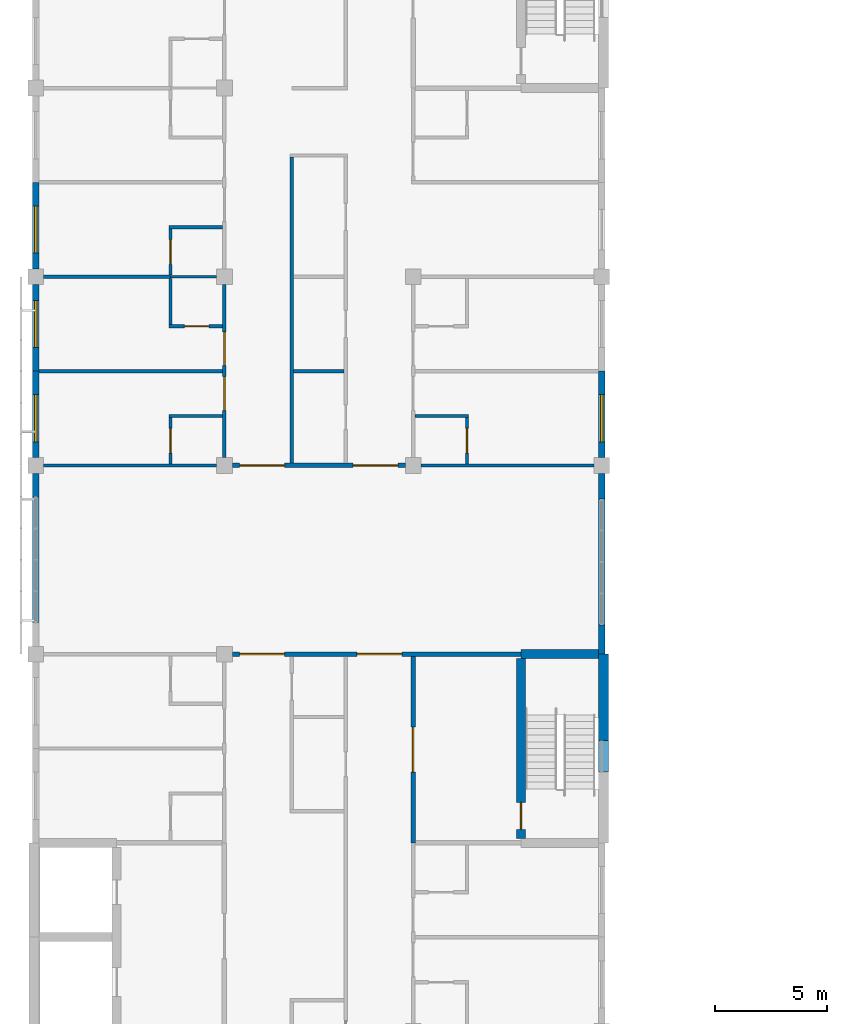
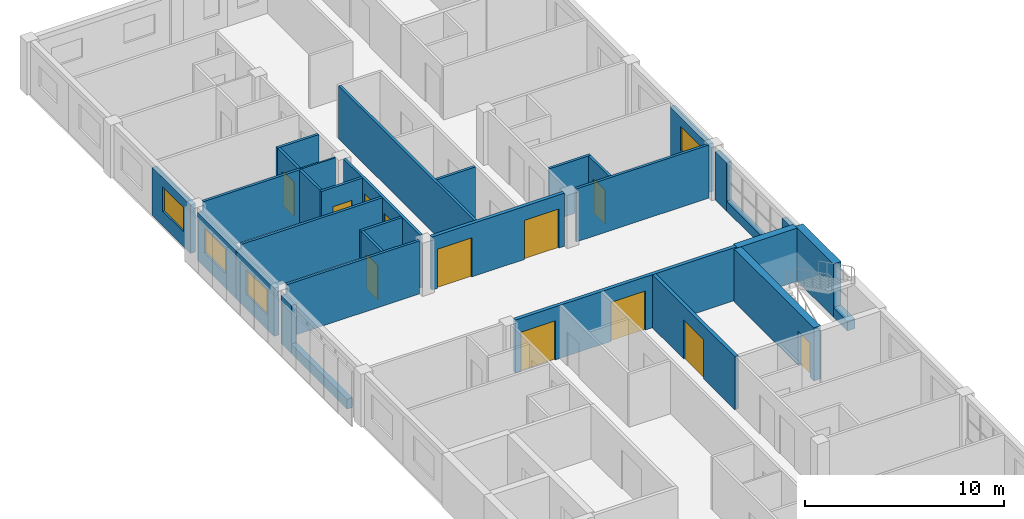
# One storey, part 32 of 45: 32 walls, 12 doors, 4 windows, 16 openings.
"""IFC4 building model written with IfcOpenShell, lengths in metres."""

from ifc_helpers import new_model, si_unit, direction, frame, frame_2d, origin, place, context, subcontext, project, spatial, rectangle, extrude, material, layer, layer_set, type_object, element, fill, save


model = new_model("IFC4")

# Units and contexts
model_context = context("Model", 3, precision=1e-05, world=origin(), true_north=direction((0.0, 1.0)))
body_context = subcontext(model_context, "Body", "Model", "MODEL_VIEW")
ifc_project = project(units=[si_unit("LENGTHUNIT", "METRE"), si_unit("AREAUNIT", "SQUARE_METRE"), si_unit("VOLUMEUNIT", "CUBIC_METRE"), si_unit("PLANEANGLEUNIT", "RADIAN"), si_unit("MASSUNIT", "GRAM", prefix="KILO")], contexts=[model_context])

# Site, building, storey
site_placement = place(None, origin())
site = spatial("IfcSite", under=ifc_project, at=site_placement, CompositionType="ELEMENT")
building_placement = place(site_placement, origin())
building = spatial("IfcBuilding", under=site, at=building_placement, Name="Yavir Park General Hospital", CompositionType="ELEMENT")
storey_placement = place(building_placement, frame((0.0, 0.0, 22.5)))
storey = spatial("IfcBuildingStorey", under=building, at=storey_placement, Name="L05", CompositionType="ELEMENT", Elevation=22.5)

# Wall, openings, doors
ifc_material_1 = material(Name="Double gypsum board fire partition on steel studs", Category="steel")
ifc_layer_1 = layer(ifc_material_1, 0.199951171875)
ifc_layer_set_1 = layer_set([ifc_layer_1], Name="Double gypsum board fire partition on steel studs")
wall_type_1 = type_object("IfcWallType", Name="Fire-rated partition 200, EI 60", PredefinedType="PARTITIONING", material=ifc_layer_set_1)
wall_1_placement = place(storey_placement, frame((8.75, 84.0, 0.0), z_axis=(0.0, 0.0, 1.0), x_axis=(1.0, 0.0, 0.0)))
wall_1 = element("IfcWall", 1, at=wall_1_placement, inside=storey, type_object=wall_type_1, Name="FP20 L05-111", PredefinedType="PARTITIONING", context=body_context, shape_type="SweptSolid", body=[
    extrude(rectangle(XDim=12.85009765625, YDim=0.199951171875, at=frame_2d((6.425048828125, 0.0))), origin(), (0.0, 0.0, 1.0), 3.260009765625),
])
opening_1_placement = place(wall_1_placement, frame((0.324951171875, 0.0, 0.0)))
opening_1 = element("IfcOpeningElement", 2, at=opening_1_placement, cuts=wall_1, Name="Opening L05.D068", PredefinedType="OPENING", context=body_context, shape_type="SweptSolid", body=[
    extrude(rectangle(XDim=2.0, YDim=2.39990234375, at=frame_2d((1.0, 1.199951171875))), frame((0.0, 0.10986328125, 0.0), z_axis=(0.0, -1.0, 0.0), x_axis=(1.0, 0.0, 0.0)), (0.0, 0.0, 1.0), 0.219970703125),
])
opening_2_placement = place(wall_1_placement, frame((5.550048828125, 0.0, 0.0)))
opening_2 = element("IfcOpeningElement", 3, at=opening_2_placement, cuts=wall_1, Name="Opening L05.D069", PredefinedType="OPENING", context=body_context, shape_type="SweptSolid", body=[
    extrude(rectangle(XDim=2.0, YDim=2.39990234375, at=frame_2d((1.0, 1.199951171875))), frame((0.0, 0.10986328125, 0.0), z_axis=(0.0, -1.0, 0.0), x_axis=(1.0, 0.0, 0.0)), (0.0, 0.0, 1.0), 0.219970703125),
])
ifc_material_2 = material(Name="Steel frame, fire-resisting leaves with vision panels", Category="steel")
door_type_1 = type_object("IfcDoorType", Name="Double fire door with vision panels 2000 x 2400, EI 60", OperationType="DOUBLE_DOOR_SINGLE_SWING", PredefinedType="DOOR", material=ifc_material_2)
door_1_placement = place(opening_1_placement, origin())
door_1 = element("IfcDoor", 4, at=door_1_placement, inside=storey, type_object=door_type_1, Name="L05.D068", OperationType="SINGLE_SWING_RIGHT", OverallHeight=2.39990234375, OverallWidth=2.0, PredefinedType="DOOR", context=body_context, shape_type="SweptSolid", body=[
    extrude(rectangle(XDim=2.0, YDim=2.39990234375, at=frame_2d((1.0, 1.199951171875))), frame((0.0, 0.030029296875, 0.0), z_axis=(0.0, -1.0, 0.0), x_axis=(1.0, 0.0, 0.0)), (0.0, 0.0, 1.0), 0.06005859375),
])
fill(opening_1, door_1)
door_2_placement = place(opening_2_placement, origin())
door_2 = element("IfcDoor", 5, at=door_2_placement, inside=storey, type_object=door_type_1, Name="L05.D069", OperationType="SINGLE_SWING_LEFT", OverallHeight=2.39990234375, OverallWidth=2.0, PredefinedType="DOOR", context=body_context, shape_type="SweptSolid", body=[
    extrude(rectangle(XDim=2.0, YDim=2.39990234375, at=frame_2d((1.0, 1.199951171875))), frame((0.0, 0.030029296875, 0.0), z_axis=(0.0, -1.0, 0.0), x_axis=(1.0, 0.0, 0.0)), (0.0, 0.0, 1.0), 0.06005859375),
])
fill(opening_2, door_2)

wall_2_placement = place(storey_placement, frame((8.75, 92.39990234375, 0.0), z_axis=(0.0, 0.0, 1.0), x_axis=(1.0, 0.0, 0.0)))
wall_2 = element("IfcWall", 6, at=wall_2_placement, inside=storey, type_object=wall_type_1, Name="FP20 L05-114", PredefinedType="PARTITIONING", context=body_context, shape_type="SweptSolid", body=[
    extrude(rectangle(XDim=7.699951171875, YDim=0.199951171875, at=frame_2d((3.85009765625, 0.0))), origin(), (0.0, 0.0, 1.0), 3.260009765625),
])
opening_3_placement = place(wall_2_placement, frame((0.324951171875, 0.0, 0.0)))
opening_3 = element("IfcOpeningElement", 7, at=opening_3_placement, cuts=wall_2, Name="Opening L05.D070", PredefinedType="OPENING", context=body_context, shape_type="SweptSolid", body=[
    extrude(rectangle(XDim=2.0, YDim=2.39990234375, at=frame_2d((1.0, 1.199951171875))), frame((0.0, 0.10986328125, 0.0), z_axis=(0.0, -1.0, 0.0), x_axis=(1.0, 0.0, 0.0)), (0.0, 0.0, 1.0), 0.219970703125),
])
opening_4_placement = place(wall_2_placement, frame((5.375, 0.0, 0.0)))
opening_4 = element("IfcOpeningElement", 8, at=opening_4_placement, cuts=wall_2, Name="Opening L05.D071", PredefinedType="OPENING", context=body_context, shape_type="SweptSolid", body=[
    extrude(rectangle(XDim=2.0, YDim=2.39990234375, at=frame_2d((1.0, 1.199951171875))), frame((0.0, 0.10986328125, 0.0), z_axis=(0.0, -1.0, 0.0), x_axis=(1.0, 0.0, 0.0)), (0.0, 0.0, 1.0), 0.219970703125),
])
door_3_placement = place(opening_3_placement, origin())
door_3 = element("IfcDoor", 9, at=door_3_placement, inside=storey, type_object=door_type_1, Name="L05.D070", OperationType="SINGLE_SWING_LEFT", OverallHeight=2.39990234375, OverallWidth=2.0, PredefinedType="DOOR", context=body_context, shape_type="SweptSolid", body=[
    extrude(rectangle(XDim=2.0, YDim=2.39990234375, at=frame_2d((1.0, 1.199951171875))), frame((0.0, 0.030029296875, 0.0), z_axis=(0.0, -1.0, 0.0), x_axis=(1.0, 0.0, 0.0)), (0.0, 0.0, 1.0), 0.06005859375),
])
fill(opening_3, door_3)
door_4_placement = place(opening_4_placement, origin())
door_4 = element("IfcDoor", 10, at=door_4_placement, inside=storey, type_object=door_type_1, Name="L05.D071", OperationType="SINGLE_SWING_RIGHT", OverallHeight=2.39990234375, OverallWidth=2.0, PredefinedType="DOOR", context=body_context, shape_type="SweptSolid", body=[
    extrude(rectangle(XDim=2.0, YDim=2.39990234375, at=frame_2d((1.0, 1.199951171875))), frame((0.0, 0.030029296875, 0.0), z_axis=(0.0, -1.0, 0.0), x_axis=(1.0, 0.0, 0.0)), (0.0, 0.0, 1.0), 0.06005859375),
])
fill(opening_4, door_4)

# Wall, opening, door
wall_3_placement = place(storey_placement, frame((16.800048828125, 75.60009765625, 0.0), z_axis=(0.0, 0.0, 1.0), x_axis=(0.0, 1.0, 0.0)))
wall_3 = element("IfcWall", 11, at=wall_3_placement, inside=storey, type_object=wall_type_1, Name="FP20 L05-192", PredefinedType="PARTITIONING", context=body_context, shape_type="SweptSolid", body=[
    extrude(rectangle(XDim=8.2998046875, YDim=0.199951171875, at=frame_2d((4.14990234375, 0.0))), origin(), (0.0, 0.0, 1.0), 3.260009765625),
])
opening_5_placement = place(wall_3_placement, frame((3.14990234375, 0.0, 0.0)))
opening_5 = element("IfcOpeningElement", 12, at=opening_5_placement, cuts=wall_3, Name="Opening L05.D127", PredefinedType="OPENING", context=body_context, shape_type="SweptSolid", body=[
    extrude(rectangle(XDim=2.0, YDim=2.39990234375, at=frame_2d((1.0, 1.199951171875))), frame((0.0, 0.10986328125, 0.0), z_axis=(0.0, -1.0, 0.0), x_axis=(1.0, 0.0, 0.0)), (0.0, 0.0, 1.0), 0.219970703125),
])
door_5_placement = place(opening_5_placement, origin())
door_5 = element("IfcDoor", 13, at=door_5_placement, inside=storey, type_object=door_type_1, Name="L05.D127", OperationType="SINGLE_SWING_LEFT", OverallHeight=2.39990234375, OverallWidth=2.0, PredefinedType="DOOR", context=body_context, shape_type="SweptSolid", body=[
    extrude(rectangle(XDim=2.0, YDim=2.39990234375, at=frame_2d((1.0, 1.199951171875))), frame((0.0, 0.030029296875, 0.0), z_axis=(0.0, -1.0, 0.0), x_axis=(1.0, 0.0, 0.0)), (0.0, 0.0, 1.0), 0.06005859375),
])
fill(opening_5, door_5)

# Walls
ifc_material_3 = material(Name="Gypsum board partition on steel studs", Category="steel")
ifc_layer_2 = layer(ifc_material_3, 0.10009765625)
ifc_layer_set_2 = layer_set([ifc_layer_2], Name="Gypsum board partition on steel studs")
wall_type_2 = type_object("IfcWallType", Name="Gypsum board partition 100", PredefinedType="PARTITIONING", material=ifc_layer_set_2)
wall_4_placement = place(storey_placement, frame((6.0, 100.800048828125, 0.0), z_axis=(0.0, 0.0, 1.0), x_axis=(1.0, 0.0, 0.0)))
element("IfcWall", 14, at=wall_4_placement, inside=storey, type_object=wall_type_2, Name="P10 L05-124", PredefinedType="PARTITIONING", context=body_context, shape_type="SweptSolid", body=[
    extrude(rectangle(XDim=2.050048828125, YDim=0.10009765625, at=frame_2d((1.02490234375, 0.0))), origin(), (0.0, 0.0, 1.0), 3.260009765625),
])
ifc_material_4 = material(Name="Gypsum board partition on steel studs", Category="steel")
ifc_layer_3 = layer(ifc_material_4, 0.14990234375)
ifc_layer_set_3 = layer_set([ifc_layer_3], Name="Gypsum board partition on steel studs")
wall_type_3 = type_object("IfcWallType", Name="Gypsum board partition 150", PredefinedType="PARTITIONING", material=ifc_layer_set_3)
wall_5_placement = place(storey_placement, frame((0.35009765625, 92.39990234375, 0.0), z_axis=(0.0, 0.0, 1.0), x_axis=(1.0, 0.0, 0.0)))
element("IfcWall", 15, at=wall_5_placement, inside=storey, type_object=wall_type_3, Name="P15 L05-113", PredefinedType="PARTITIONING", context=body_context, shape_type="SweptSolid", body=[
    extrude(rectangle(XDim=7.699951171875, YDim=0.14990234375, at=frame_2d((3.85009765625, 0.0))), origin(), (0.0, 0.0, 1.0), 3.260009765625),
])
wall_6_placement = place(storey_placement, frame((17.14990234375, 92.39990234375, 0.0), z_axis=(0.0, 0.0, 1.0), x_axis=(1.0, 0.0, 0.0)))
element("IfcWall", 16, at=wall_6_placement, inside=storey, type_object=wall_type_3, Name="P15 L05-115", PredefinedType="PARTITIONING", context=body_context, shape_type="SweptSolid", body=[
    extrude(rectangle(XDim=7.7001953125, YDim=0.14990234375, at=frame_2d((3.85009765625, 0.0))), origin(), (0.0, 0.0, 1.0), 3.260009765625),
])
for number, where, z_axis, x_axis, name in (
    (17, (5.925048828125, 94.60009765625, 0.0), (0.0, 0.0, 1.0), (1.0, 0.0, 0.0), "P15 L05-116"),
    (18, (16.875, 94.60009765625, 0.0), (0.0, 0.0, 1.0), (1.0, 0.0, 0.0), "P15 L05-117"),
):
    element("IfcWall", number, at=place(storey_placement, frame(where, z_axis=z_axis, x_axis=x_axis)), inside=storey, type_object=wall_type_3, Name=name, PredefinedType="PARTITIONING", context=body_context, shape_type="SweptSolid", body=[
        extrude(rectangle(XDim=2.39990234375, YDim=0.14990234375, at=frame_2d((1.199951171875, 0.0))), origin(), (0.0, 0.0, 1.0), 3.260009765625),
    ])
wall_7_placement = place(storey_placement, frame((0.14990234375, 96.60009765625, 0.0), z_axis=(0.0, 0.0, 1.0), x_axis=(1.0, 0.0, 0.0)))
element("IfcWall", 19, at=wall_7_placement, inside=storey, type_object=wall_type_3, Name="P15 L05-118", PredefinedType="PARTITIONING", context=body_context, shape_type="SweptSolid", body=[
    extrude(rectangle(XDim=8.175048828125, YDim=0.14990234375, at=frame_2d((4.08740234375, 0.0))), origin(), (0.0, 0.0, 1.0), 3.260009765625),
])
wall_8_placement = place(storey_placement, frame((11.47509765625, 96.60009765625, 0.0), z_axis=(0.0, 0.0, 1.0), x_axis=(1.0, 0.0, 0.0)))
element("IfcWall", 20, at=wall_8_placement, inside=storey, type_object=wall_type_3, Name="P15 L05-119", PredefinedType="PARTITIONING", context=body_context, shape_type="SweptSolid", body=[
    extrude(rectangle(XDim=2.25, YDim=0.14990234375, at=frame_2d((1.125, 0.0))), origin(), (0.0, 0.0, 1.0), 3.260009765625),
])

# Wall, opening, door
wall_9_placement = place(storey_placement, frame((5.925048828125, 98.60009765625, 0.0), z_axis=(0.0, 0.0, 1.0), x_axis=(1.0, 0.0, 0.0)))
wall_9 = element("IfcWall", 21, at=wall_9_placement, inside=storey, type_object=wall_type_3, Name="P15 L05-121", PredefinedType="PARTITIONING", context=body_context, shape_type="SweptSolid", body=[
    extrude(rectangle(XDim=2.39990234375, YDim=0.14990234375, at=frame_2d((1.199951171875, 0.0))), origin(), (0.0, 0.0, 1.0), 3.260009765625),
])
opening_6_placement = place(wall_9_placement, frame((0.6875, 0.0, 0.0)))
opening_6 = element("IfcOpeningElement", 22, at=opening_6_placement, cuts=wall_9, Name="Opening L05.D072", PredefinedType="OPENING", context=body_context, shape_type="SweptSolid", body=[
    extrude(rectangle(XDim=1.10009765625, YDim=2.10009765625, at=frame_2d((0.550048828125, 1.050048828125))), frame((0.0, 0.0849609375, 0.0), z_axis=(0.0, -1.0, 0.0), x_axis=(1.0, 0.0, 0.0)), (0.0, 0.0, 1.0), 0.169921875),
])
ifc_material_5 = material(Name="Hollow metal frame, solid-core timber leaf", Category="wood")
door_type_2 = type_object("IfcDoorType", Name="Single swing door 1100 x 2100", OperationType="SINGLE_SWING_LEFT", PredefinedType="DOOR", material=ifc_material_5)
door_6_placement = place(opening_6_placement, origin())
door_6 = element("IfcDoor", 23, at=door_6_placement, inside=storey, type_object=door_type_2, Name="L05.D072", OperationType="SINGLE_SWING_RIGHT", OverallHeight=2.10009765625, OverallWidth=1.10009765625, PredefinedType="DOOR", context=body_context, shape_type="SweptSolid", body=[
    extrude(rectangle(XDim=1.10009765625, YDim=2.10009765625, at=frame_2d((0.550048828125, 1.050048828125))), frame((0.0, 0.02490234375, 0.0), z_axis=(0.0, -1.0, 0.0), x_axis=(1.0, 0.0, 0.0)), (0.0, 0.0, 1.0), 0.050048828125),
])
fill(opening_6, door_6)

# Walls
wall_10_placement = place(storey_placement, frame((0.35009765625, 100.800048828125, 0.0), z_axis=(0.0, 0.0, 1.0), x_axis=(1.0, 0.0, 0.0)))
element("IfcWall", 24, at=wall_10_placement, inside=storey, type_object=wall_type_3, Name="P15 L05-123", PredefinedType="PARTITIONING", context=body_context, shape_type="SweptSolid", body=[
    extrude(rectangle(XDim=5.64990234375, YDim=0.14990234375, at=frame_2d((2.824951171875, 0.0))), origin(), (0.0, 0.0, 1.0), 3.260009765625),
])
wall_11_placement = place(storey_placement, frame((5.925048828125, 103.0, 0.0), z_axis=(0.0, 0.0, 1.0), x_axis=(1.0, 0.0, 0.0)))
element("IfcWall", 25, at=wall_11_placement, inside=storey, type_object=wall_type_3, Name="P15 L05-127", PredefinedType="PARTITIONING", context=body_context, shape_type="SweptSolid", body=[
    extrude(rectangle(XDim=2.39990234375, YDim=0.14990234375, at=frame_2d((1.199951171875, 0.0))), origin(), (0.0, 0.0, 1.0), 3.260009765625),
])

# Wall, opening, door
wall_12_placement = place(storey_placement, frame((6.0, 92.47509765625, 0.0), z_axis=(0.0, 0.0, 1.0), x_axis=(0.0, 1.0, 0.0)))
wall_12 = element("IfcWall", 26, at=wall_12_placement, inside=storey, type_object=wall_type_3, Name="P15 L05-153", PredefinedType="PARTITIONING", context=body_context, shape_type="SweptSolid", body=[
    extrude(rectangle(XDim=2.0498046875, YDim=0.14990234375, at=frame_2d((1.02490234375, 0.0))), origin(), (0.0, 0.0, 1.0), 3.260009765625),
])
opening_7_placement = place(wall_12_placement, frame((0.47509765625, 0.0, 0.0)))
opening_7 = element("IfcOpeningElement", 27, at=opening_7_placement, cuts=wall_12, Name="Opening L05.D088", PredefinedType="OPENING", context=body_context, shape_type="SweptSolid", body=[
    extrude(rectangle(XDim=1.10009765625, YDim=2.10009765625, at=frame_2d((0.550048828125, 1.050048828125))), frame((0.0, 0.0849609375, 0.0), z_axis=(0.0, -1.0, 0.0), x_axis=(1.0, 0.0, 0.0)), (0.0, 0.0, 1.0), 0.169921875),
])
door_7_placement = place(opening_7_placement, origin())
door_7 = element("IfcDoor", 28, at=door_7_placement, inside=storey, type_object=door_type_2, Name="L05.D088", OperationType="SINGLE_SWING_RIGHT", OverallHeight=2.10009765625, OverallWidth=1.10009765625, PredefinedType="DOOR", context=body_context, shape_type="SweptSolid", body=[
    extrude(rectangle(XDim=1.10009765625, YDim=2.10009765625, at=frame_2d((0.550048828125, 1.050048828125))), frame((0.0, 0.02490234375, 0.0), z_axis=(0.0, -1.0, 0.0), x_axis=(1.0, 0.0, 0.0)), (0.0, 0.0, 1.0), 0.050048828125),
])
fill(opening_7, door_7)

# Wall
wall_13_placement = place(storey_placement, frame((6.0, 98.675048828125, 0.0), z_axis=(0.0, 0.0, 1.0), x_axis=(0.0, 1.0, 0.0)))
element("IfcWall", 29, at=wall_13_placement, inside=storey, type_object=wall_type_3, Name="P15 L05-154", PredefinedType="PARTITIONING", context=body_context, shape_type="SweptSolid", body=[
    extrude(rectangle(XDim=2.050048828125, YDim=0.14990234375, at=frame_2d((1.02490234375, 0.0))), origin(), (0.0, 0.0, 1.0), 3.260009765625),
])

# Wall, opening, door
wall_14_placement = place(storey_placement, frame((6.0, 100.875, 0.0), z_axis=(0.0, 0.0, 1.0), x_axis=(0.0, 1.0, 0.0)))
wall_14 = element("IfcWall", 30, at=wall_14_placement, inside=storey, type_object=wall_type_3, Name="P15 L05-155", PredefinedType="PARTITIONING", context=body_context, shape_type="SweptSolid", body=[
    extrude(rectangle(XDim=2.050048828125, YDim=0.14990234375, at=frame_2d((1.02490234375, 0.0))), origin(), (0.0, 0.0, 1.0), 3.260009765625),
])
opening_8_placement = place(wall_14_placement, frame((0.47509765625, 0.0, 0.0)))
opening_8 = element("IfcOpeningElement", 31, at=opening_8_placement, cuts=wall_14, Name="Opening L05.D089", PredefinedType="OPENING", context=body_context, shape_type="SweptSolid", body=[
    extrude(rectangle(XDim=1.10009765625, YDim=2.10009765625, at=frame_2d((0.550048828125, 1.050048828125))), frame((0.0, 0.0849609375, 0.0), z_axis=(0.0, -1.0, 0.0), x_axis=(1.0, 0.0, 0.0)), (0.0, 0.0, 1.0), 0.169921875),
])
door_8_placement = place(opening_8_placement, origin())
door_8 = element("IfcDoor", 32, at=door_8_placement, inside=storey, type_object=door_type_2, Name="L05.D089", OperationType="SINGLE_SWING_RIGHT", OverallHeight=2.10009765625, OverallWidth=1.10009765625, PredefinedType="DOOR", context=body_context, shape_type="SweptSolid", body=[
    extrude(rectangle(XDim=1.10009765625, YDim=2.10009765625, at=frame_2d((0.550048828125, 1.050048828125))), frame((0.0, 0.02490234375, 0.0), z_axis=(0.0, -1.0, 0.0), x_axis=(1.0, 0.0, 0.0)), (0.0, 0.0, 1.0), 0.050048828125),
])
fill(opening_8, door_8)

# Wall, openings, doors
wall_15_placement = place(storey_placement, frame((8.39990234375, 92.75, 0.0), z_axis=(0.0, 0.0, 1.0), x_axis=(0.0, 1.0, 0.0)))
wall_15 = element("IfcWall", 33, at=wall_15_placement, inside=storey, type_object=wall_type_3, Name="P15 L05-169", PredefinedType="PARTITIONING", context=body_context, shape_type="SweptSolid", body=[
    extrude(rectangle(XDim=7.699951171875, YDim=0.14990234375, at=frame_2d((3.85009765625, 0.0))), origin(), (0.0, 0.0, 1.0), 3.260009765625),
])
opening_9_placement = place(wall_15_placement, frame((2.10009765625, 0.0, 0.0)))
opening_9 = element("IfcOpeningElement", 34, at=opening_9_placement, cuts=wall_15, Name="Opening L05.D102", PredefinedType="OPENING", context=body_context, shape_type="SweptSolid", body=[
    extrude(rectangle(XDim=1.5, YDim=2.39990234375, at=frame_2d((0.75, 1.199951171875))), frame((0.0, 0.0849609375, 0.0), z_axis=(0.0, -1.0, 0.0), x_axis=(1.0, 0.0, 0.0)), (0.0, 0.0, 1.0), 0.169921875),
])
opening_10_placement = place(wall_15_placement, frame((4.10009765625, 0.0, 0.0)))
opening_10 = element("IfcOpeningElement", 35, at=opening_10_placement, cuts=wall_15, Name="Opening L05.D103", PredefinedType="OPENING", context=body_context, shape_type="SweptSolid", body=[
    extrude(rectangle(XDim=1.5, YDim=2.39990234375, at=frame_2d((0.75, 1.199951171875))), frame((0.0, 0.0849609375, 0.0), z_axis=(0.0, -1.0, 0.0), x_axis=(1.0, 0.0, 0.0)), (0.0, 0.0, 1.0), 0.169921875),
])
ifc_material_6 = material(Name="Solid-core timber leaves, push plates, kick plates", Category="wood")
door_type_3 = type_object("IfcDoorType", Name="Bed door, unequal leaves 1500 x 2400", OperationType="DOUBLE_DOOR_SINGLE_SWING", PredefinedType="DOOR", material=ifc_material_6)
door_9_placement = place(opening_9_placement, origin())
door_9 = element("IfcDoor", 36, at=door_9_placement, inside=storey, type_object=door_type_3, Name="L05.D102", OperationType="SINGLE_SWING_RIGHT", OverallHeight=2.39990234375, OverallWidth=1.5, PredefinedType="DOOR", context=body_context, shape_type="SweptSolid", body=[
    extrude(rectangle(XDim=1.5, YDim=2.39990234375, at=frame_2d((0.75, 1.199951171875))), frame((0.0, 0.030029296875, 0.0), z_axis=(0.0, -1.0, 0.0), x_axis=(1.0, 0.0, 0.0)), (0.0, 0.0, 1.0), 0.06005859375),
])
fill(opening_9, door_9)
door_10_placement = place(opening_10_placement, origin())
door_10 = element("IfcDoor", 37, at=door_10_placement, inside=storey, type_object=door_type_3, Name="L05.D103", OperationType="SINGLE_SWING_RIGHT", OverallHeight=2.39990234375, OverallWidth=1.5, PredefinedType="DOOR", context=body_context, shape_type="SweptSolid", body=[
    extrude(rectangle(XDim=1.5, YDim=2.39990234375, at=frame_2d((0.75, 1.199951171875))), frame((0.0, 0.030029296875, 0.0), z_axis=(0.0, -1.0, 0.0), x_axis=(1.0, 0.0, 0.0)), (0.0, 0.0, 1.0), 0.06005859375),
])
fill(opening_10, door_10)

# Wall
wall_16_placement = place(storey_placement, frame((11.39990234375, 92.5, 0.0), z_axis=(0.0, 0.0, 1.0), x_axis=(0.0, 1.0, 0.0)))
element("IfcWall", 38, at=wall_16_placement, inside=storey, type_object=wall_type_3, Name="P15 L05-177", PredefinedType="PARTITIONING", context=body_context, shape_type="SweptSolid", body=[
    extrude(rectangle(XDim=13.625, YDim=0.14990234375, at=frame_2d((6.8125, 0.0))), origin(), (0.0, 0.0, 1.0), 3.260009765625),
])

# Wall, opening, door
wall_17_placement = place(storey_placement, frame((19.199951171875, 92.47509765625, 0.0), z_axis=(0.0, 0.0, 1.0), x_axis=(0.0, 1.0, 0.0)))
wall_17 = element("IfcWall", 39, at=wall_17_placement, inside=storey, type_object=wall_type_3, Name="P15 L05-203", PredefinedType="PARTITIONING", context=body_context, shape_type="SweptSolid", body=[
    extrude(rectangle(XDim=2.0498046875, YDim=0.14990234375, at=frame_2d((1.02490234375, 0.0))), origin(), (0.0, 0.0, 1.0), 3.260009765625),
])
opening_11_placement = place(wall_17_placement, frame((0.47509765625, 0.0, 0.0)))
opening_11 = element("IfcOpeningElement", 40, at=opening_11_placement, cuts=wall_17, Name="Opening L05.D136", PredefinedType="OPENING", context=body_context, shape_type="SweptSolid", body=[
    extrude(rectangle(XDim=1.10009765625, YDim=2.10009765625, at=frame_2d((0.550048828125, 1.050048828125))), frame((0.0, 0.0849609375, 0.0), z_axis=(0.0, -1.0, 0.0), x_axis=(1.0, 0.0, 0.0)), (0.0, 0.0, 1.0), 0.169921875),
])
door_11_placement = place(opening_11_placement, origin())
door_11 = element("IfcDoor", 41, at=door_11_placement, inside=storey, type_object=door_type_2, Name="L05.D136", OperationType="SINGLE_SWING_LEFT", OverallHeight=2.10009765625, OverallWidth=1.10009765625, PredefinedType="DOOR", context=body_context, shape_type="SweptSolid", body=[
    extrude(rectangle(XDim=1.10009765625, YDim=2.10009765625, at=frame_2d((0.550048828125, 1.050048828125))), frame((0.0, 0.02490234375, 0.0), z_axis=(0.0, -1.0, 0.0), x_axis=(1.0, 0.0, 0.0)), (0.0, 0.0, 1.0), 0.050048828125),
])
fill(opening_11, door_11)

# Walls
ifc_material_7 = material(Name="Autoclaved aerated block, mineral wool and ochre mineral render")
ifc_layer_4 = layer(ifc_material_7, 0.300048828125)
ifc_layer_set_4 = layer_set([ifc_layer_4], Name="Autoclaved aerated block, mineral wool and ochre mineral render")
wall_type_4 = type_object("IfcWallType", Name="Ochre render ward wall 300, E 30", PredefinedType="SOLIDWALL", material=ifc_layer_set_4)
wall_18_placement = place(storey_placement, frame((0.0, 91.0, 0.0), z_axis=(0.0, 0.0, 1.0), x_axis=(0.0, 1.0, 0.0)))
element("IfcWall", 42, at=wall_18_placement, inside=storey, type_object=wall_type_4, Name="XW7 L05-092", PredefinedType="SOLIDWALL", context=body_context, shape_type="SweptSolid", body=[
    extrude(rectangle(XDim=1.050048828125, YDim=0.300048828125, at=frame_2d((0.52490234375, 0.0))), origin(), (0.0, 0.0, 1.0), 2.9599609375),
])
wall_19_placement = place(storey_placement, frame((0.0, 85.39990234375, 0.0), z_axis=(0.0, 0.0, 1.0), x_axis=(0.0, 1.0, 0.0)))
element("IfcWall", 43, at=wall_19_placement, inside=storey, type_object=wall_type_4, Name="XW7 L05-093", PredefinedType="SOLIDWALL", context=body_context, shape_type="SweptSolid", body=[
    extrude(rectangle(XDim=5.60009765625, YDim=0.300048828125, at=frame_2d((2.800048828125, 0.0))), origin(), (0.0, 0.0, 1.0), 0.60009765625),
])

# Wall, opening, window
wall_20_placement = place(storey_placement, frame((0.0, 92.75, 0.0), z_axis=(0.0, 0.0, 1.0), x_axis=(0.0, 1.0, 0.0)))
wall_20 = element("IfcWall", 44, at=wall_20_placement, inside=storey, type_object=wall_type_4, Name="XW7 L05-094", PredefinedType="SOLIDWALL", context=body_context, shape_type="SweptSolid", body=[
    extrude(rectangle(XDim=3.85009765625, YDim=0.300048828125, at=frame_2d((1.925048828125, 0.0))), origin(), (0.0, 0.0, 1.0), 2.9599609375),
])
opening_12_placement = place(wall_20_placement, frame((0.699951171875, 0.0, 0.89990234375)))
opening_12 = element("IfcOpeningElement", 45, at=opening_12_placement, cuts=wall_20, Name="Opening WAR", PredefinedType="OPENING", context=body_context, shape_type="SweptSolid", body=[
    extrude(rectangle(XDim=2.10009765625, YDim=1.5, at=frame_2d((1.050048828125, 0.75))), frame((0.0, 0.159912109375, 0.0), z_axis=(0.0, -1.0, 0.0), x_axis=(1.0, 0.0, 0.0)), (0.0, 0.0, 1.0), 0.320068359375),
])
ifc_material_8 = material(Name="Aluminium frame, tilt-and-turn sash with opening restrictor, double glazed unit", Category="aluminium")
window_type = type_object("IfcWindowType", Name="Ward window, restricted opening 2100 x 1500", PartitioningType="DOUBLE_PANEL_VERTICAL", PredefinedType="WINDOW", material=ifc_material_8)
window_1_placement = place(opening_12_placement, origin())
window_1 = element("IfcWindow", 46, at=window_1_placement, inside=storey, type_object=window_type, Name="WAR L05-038", OverallHeight=1.5, OverallWidth=2.10009765625, PartitioningType="DOUBLE_PANEL_VERTICAL", PredefinedType="WINDOW", context=body_context, shape_type="SweptSolid", body=[
    extrude(rectangle(XDim=2.10009765625, YDim=1.5, at=frame_2d((1.050048828125, 0.75))), frame((0.0, 0.050048828125, 0.0), z_axis=(0.0, -1.0, 0.0), x_axis=(1.0, 0.0, 0.0)), (0.0, 0.0, 1.0), 0.10009765625),
])
fill(opening_12, window_1)

wall_21_placement = place(storey_placement, frame((0.0, 96.60009765625, 0.0), z_axis=(0.0, 0.0, 1.0), x_axis=(0.0, 1.0, 0.0)))
wall_21 = element("IfcWall", 47, at=wall_21_placement, inside=storey, type_object=wall_type_4, Name="XW7 L05-095", PredefinedType="SOLIDWALL", context=body_context, shape_type="SweptSolid", body=[
    extrude(rectangle(XDim=3.849853515625, YDim=0.300048828125, at=frame_2d((1.9248046875, 0.0))), origin(), (0.0, 0.0, 1.0), 2.9599609375),
])
opening_13_placement = place(wall_21_placement, frame((1.050048828125, 0.0, 0.89990234375)))
opening_13 = element("IfcOpeningElement", 48, at=opening_13_placement, cuts=wall_21, Name="Opening WAR", PredefinedType="OPENING", context=body_context, shape_type="SweptSolid", body=[
    extrude(rectangle(XDim=2.10009765625, YDim=1.5, at=frame_2d((1.050048828125, 0.75))), frame((0.0, 0.159912109375, 0.0), z_axis=(0.0, -1.0, 0.0), x_axis=(1.0, 0.0, 0.0)), (0.0, 0.0, 1.0), 0.320068359375),
])
window_2_placement = place(opening_13_placement, origin())
window_2 = element("IfcWindow", 49, at=window_2_placement, inside=storey, type_object=window_type, Name="WAR L05-039", OverallHeight=1.5, OverallWidth=2.10009765625, PartitioningType="DOUBLE_PANEL_VERTICAL", PredefinedType="WINDOW", context=body_context, shape_type="SweptSolid", body=[
    extrude(rectangle(XDim=2.10009765625, YDim=1.5, at=frame_2d((1.050048828125, 0.75))), frame((0.0, 0.050048828125, 0.0), z_axis=(0.0, -1.0, 0.0), x_axis=(1.0, 0.0, 0.0)), (0.0, 0.0, 1.0), 0.10009765625),
])
fill(opening_13, window_2)

wall_22_placement = place(storey_placement, frame((0.0, 101.14990234375, 0.0), z_axis=(0.0, 0.0, 1.0), x_axis=(0.0, 1.0, 0.0)))
wall_22 = element("IfcWall", 50, at=wall_22_placement, inside=storey, type_object=wall_type_4, Name="XW7 L05-096", PredefinedType="SOLIDWALL", context=body_context, shape_type="SweptSolid", body=[
    extrude(rectangle(XDim=3.85009765625, YDim=0.300048828125, at=frame_2d((1.925048828125, 0.0))), origin(), (0.0, 0.0, 1.0), 2.9599609375),
])
opening_14_placement = place(wall_22_placement, frame((0.699951171875, 0.0, 0.89990234375)))
opening_14 = element("IfcOpeningElement", 51, at=opening_14_placement, cuts=wall_22, Name="Opening WAR", PredefinedType="OPENING", context=body_context, shape_type="SweptSolid", body=[
    extrude(rectangle(XDim=2.10009765625, YDim=1.5, at=frame_2d((1.050048828125, 0.75))), frame((0.0, 0.159912109375, 0.0), z_axis=(0.0, -1.0, 0.0), x_axis=(1.0, 0.0, 0.0)), (0.0, 0.0, 1.0), 0.320068359375),
])
window_3_placement = place(opening_14_placement, origin())
window_3 = element("IfcWindow", 52, at=window_3_placement, inside=storey, type_object=window_type, Name="WAR L05-040", OverallHeight=1.5, OverallWidth=2.10009765625, PartitioningType="DOUBLE_PANEL_VERTICAL", PredefinedType="WINDOW", context=body_context, shape_type="SweptSolid", body=[
    extrude(rectangle(XDim=2.10009765625, YDim=1.5, at=frame_2d((1.050048828125, 0.75))), frame((0.0, 0.050048828125, 0.0), z_axis=(0.0, -1.0, 0.0), x_axis=(1.0, 0.0, 0.0)), (0.0, 0.0, 1.0), 0.10009765625),
])
fill(opening_14, window_3)

# Walls
wall_23_placement = place(storey_placement, frame((25.199951171875, 84.0, 0.0), z_axis=(0.0, 0.0, 1.0), x_axis=(0.0, 1.0, 0.0)))
element("IfcWall", 53, at=wall_23_placement, inside=storey, type_object=wall_type_4, Name="XW7 L05-117", PredefinedType="SOLIDWALL", context=body_context, shape_type="SweptSolid", body=[
    extrude(rectangle(XDim=1.300048828125, YDim=0.300048828125, at=frame_2d((0.64990234375, 0.0))), origin(), (0.0, 0.0, 1.0), 2.9599609375),
])
wall_24_placement = place(storey_placement, frame((25.199951171875, 90.89990234375, 0.0), z_axis=(0.0, 0.0, 1.0), x_axis=(0.0, 1.0, 0.0)))
element("IfcWall", 54, at=wall_24_placement, inside=storey, type_object=wall_type_4, Name="XW7 L05-118", PredefinedType="SOLIDWALL", context=body_context, shape_type="SweptSolid", body=[
    extrude(rectangle(XDim=1.150146484375, YDim=0.300048828125, at=frame_2d((0.5751953125, 0.0))), origin(), (0.0, 0.0, 1.0), 2.9599609375),
])
wall_25_placement = place(storey_placement, frame((25.199951171875, 85.300048828125, 0.0), z_axis=(0.0, 0.0, 1.0), x_axis=(0.0, 1.0, 0.0)))
element("IfcWall", 55, at=wall_25_placement, inside=storey, type_object=wall_type_4, Name="XW7 L05-119", PredefinedType="SOLIDWALL", context=body_context, shape_type="SweptSolid", body=[
    extrude(rectangle(XDim=5.599853515625, YDim=0.300048828125, at=frame_2d((2.7998046875, 0.0))), origin(), (0.0, 0.0, 1.0), 0.60009765625),
])

# Wall, opening, window
wall_26_placement = place(storey_placement, frame((25.199951171875, 92.75, 0.0), z_axis=(0.0, 0.0, 1.0), x_axis=(0.0, 1.0, 0.0)))
wall_26 = element("IfcWall", 56, at=wall_26_placement, inside=storey, type_object=wall_type_4, Name="XW7 L05-120", PredefinedType="SOLIDWALL", context=body_context, shape_type="SweptSolid", body=[
    extrude(rectangle(XDim=3.85009765625, YDim=0.300048828125, at=frame_2d((1.925048828125, 0.0))), origin(), (0.0, 0.0, 1.0), 2.9599609375),
])
opening_15_placement = place(wall_26_placement, frame((0.699951171875, 0.0, 0.89990234375)))
opening_15 = element("IfcOpeningElement", 57, at=opening_15_placement, cuts=wall_26, Name="Opening WAR", PredefinedType="OPENING", context=body_context, shape_type="SweptSolid", body=[
    extrude(rectangle(XDim=2.10009765625, YDim=1.5, at=frame_2d((1.050048828125, 0.75))), frame((0.0, 0.159912109375, 0.0), z_axis=(0.0, -1.0, 0.0), x_axis=(1.0, 0.0, 0.0)), (0.0, 0.0, 1.0), 0.320068359375),
])
window_4_placement = place(opening_15_placement, origin())
window_4 = element("IfcWindow", 58, at=window_4_placement, inside=storey, type_object=window_type, Name="WAR L05-051", OverallHeight=1.5, OverallWidth=2.10009765625, PartitioningType="DOUBLE_PANEL_VERTICAL", PredefinedType="WINDOW", context=body_context, shape_type="SweptSolid", body=[
    extrude(rectangle(XDim=2.10009765625, YDim=1.5, at=frame_2d((1.050048828125, 0.75))), frame((0.0, 0.050048828125, 0.0), z_axis=(0.0, -1.0, 0.0), x_axis=(1.0, 0.0, 0.0)), (0.0, 0.0, 1.0), 0.10009765625),
])
fill(opening_15, window_4)

# Wall
ifc_material_9 = material(Name="Concrete C35/45", Category="concrete")
ifc_layer_5 = layer(ifc_material_9, 0.39990234375)
ifc_layer_set_5 = layer_set([ifc_layer_5], Name="Concrete C35/45")
wall_type_5 = type_object("IfcWallType", Name="Reinforced concrete core wall 400, REI 150", PredefinedType="SHEAR", material=ifc_layer_set_5)
wall_27_placement = place(storey_placement, frame((21.60009765625, 84.0, 0.0), z_axis=(0.0, 0.0, 1.0), x_axis=(1.0, 0.0, 0.0)))
element("IfcWall", 59, at=wall_27_placement, inside=storey, type_object=wall_type_5, Name="CW40 L05-112", PredefinedType="SHEAR", context=body_context, shape_type="SweptSolid", body=[
    extrude(rectangle(XDim=3.449951171875, YDim=0.39990234375, at=frame_2d((1.72509765625, 0.0))), origin(), (0.0, 0.0, 1.0), 3.260009765625),
])

# Wall, opening, door
wall_28_placement = place(storey_placement, frame((21.60009765625, 75.800048828125, 0.0), z_axis=(0.0, 0.0, 1.0), x_axis=(0.0, 1.0, 0.0)))
wall_28 = element("IfcWall", 60, at=wall_28_placement, inside=storey, type_object=wall_type_5, Name="CW40 L05-210", PredefinedType="SHEAR", context=body_context, shape_type="SweptSolid", body=[
    extrude(rectangle(XDim=8.0, YDim=0.39990234375, at=frame_2d((4.0, 0.0))), origin(), (0.0, 0.0, 1.0), 3.260009765625),
])
opening_16_placement = place(wall_28_placement, frame((0.39990234375, 0.0, 0.0)))
opening_16 = element("IfcOpeningElement", 61, at=opening_16_placement, cuts=wall_28, Name="Opening L05.D139", PredefinedType="OPENING", context=body_context, shape_type="SweptSolid", body=[
    extrude(rectangle(XDim=1.199951171875, YDim=2.10009765625, at=frame_2d((0.60009765625, 1.050048828125))), frame((0.0, 0.2099609375, 0.0), z_axis=(0.0, -1.0, 0.0), x_axis=(1.0, 0.0, 0.0)), (0.0, 0.0, 1.0), 0.419921875),
])
ifc_material_10 = material(Name="Steel frame, fire-resisting timber leaf", Category="steel")
door_type_4 = type_object("IfcDoorType", Name="Fire door 1200 x 2100, EI 60", OperationType="SINGLE_SWING_LEFT", PredefinedType="DOOR", material=ifc_material_10)
door_12_placement = place(opening_16_placement, origin())
door_12 = element("IfcDoor", 62, at=door_12_placement, inside=storey, type_object=door_type_4, Name="L05.D139", OperationType="SINGLE_SWING_LEFT", OverallHeight=2.10009765625, OverallWidth=1.199951171875, PredefinedType="DOOR", context=body_context, shape_type="SweptSolid", body=[
    extrude(rectangle(XDim=1.199951171875, YDim=2.10009765625, at=frame_2d((0.60009765625, 1.050048828125))), frame((0.0, 0.02490234375, 0.0), z_axis=(0.0, -1.0, 0.0), x_axis=(1.0, 0.0, 0.0)), (0.0, 0.0, 1.0), 0.050048828125),
])
fill(opening_16, door_12)

# Walls
ifc_material_11 = material(Name="Concrete C30/37 precast panel with 150 mm mineral wool insulation", Category="concrete")
ifc_layer_6 = layer(ifc_material_11, 0.449951171875)
ifc_layer_set_6 = layer_set([ifc_layer_6], Name="Concrete C30/37 precast panel with 150 mm mineral wool insulation")
wall_type_6 = type_object("IfcWallType", Name="Stair enclosure wall 450, REI 150", PredefinedType="SOLIDWALL", material=ifc_layer_set_6)
wall_29_placement = place(storey_placement, frame((25.27490234375, 80.14990234375, 0.0), z_axis=(0.0, 0.0, 1.0), x_axis=(0.0, 1.0, 0.0)))
element("IfcWall", 63, at=wall_29_placement, inside=storey, type_object=wall_type_6, Name="XW6 L05-115", PredefinedType="SOLIDWALL", context=body_context, shape_type="SweptSolid", body=[
    extrude(rectangle(XDim=3.85009765625, YDim=0.449951171875, at=frame_2d((1.925048828125, 0.0))), origin(), (0.0, 0.0, 1.0), 3.260009765625),
])
wall_30_placement = place(storey_placement, frame((25.27490234375, 78.75, 0.0), z_axis=(0.0, 0.0, 1.0), x_axis=(0.0, 1.0, 0.0)))
element("IfcWall", 64, at=wall_30_placement, inside=storey, type_object=wall_type_6, Name="XW6 L05-116", PredefinedType="SOLIDWALL", context=body_context, shape_type="SweptSolid", body=[
    extrude(rectangle(XDim=1.39990234375, YDim=0.449951171875, at=frame_2d((0.699951171875, 0.0))), origin(), (0.0, 0.0, 1.0), 0.60009765625),
])

save(model, "model.ifc")
